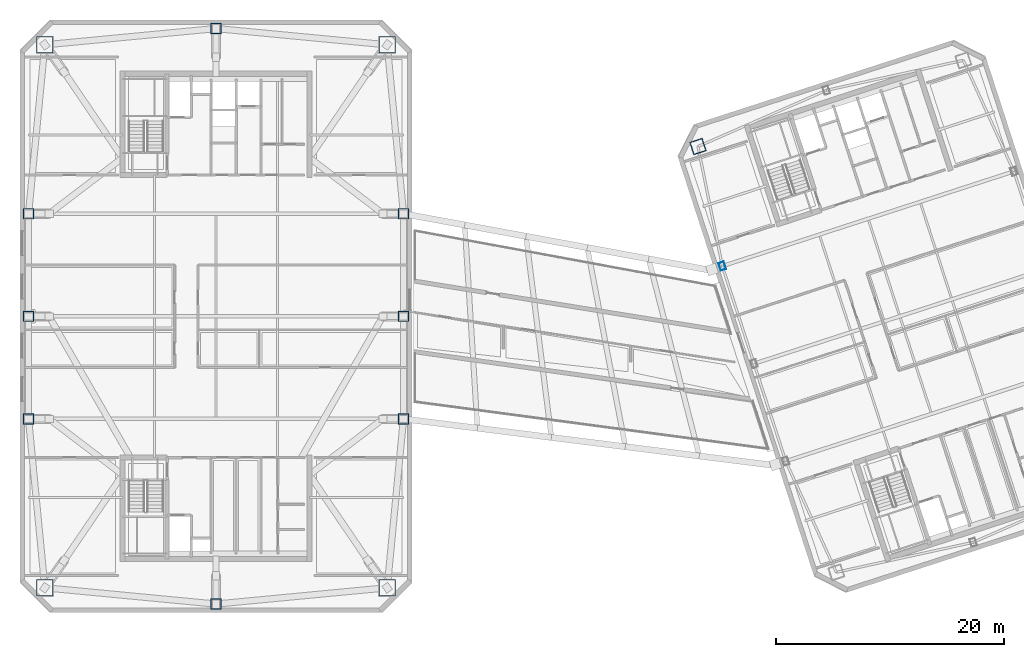
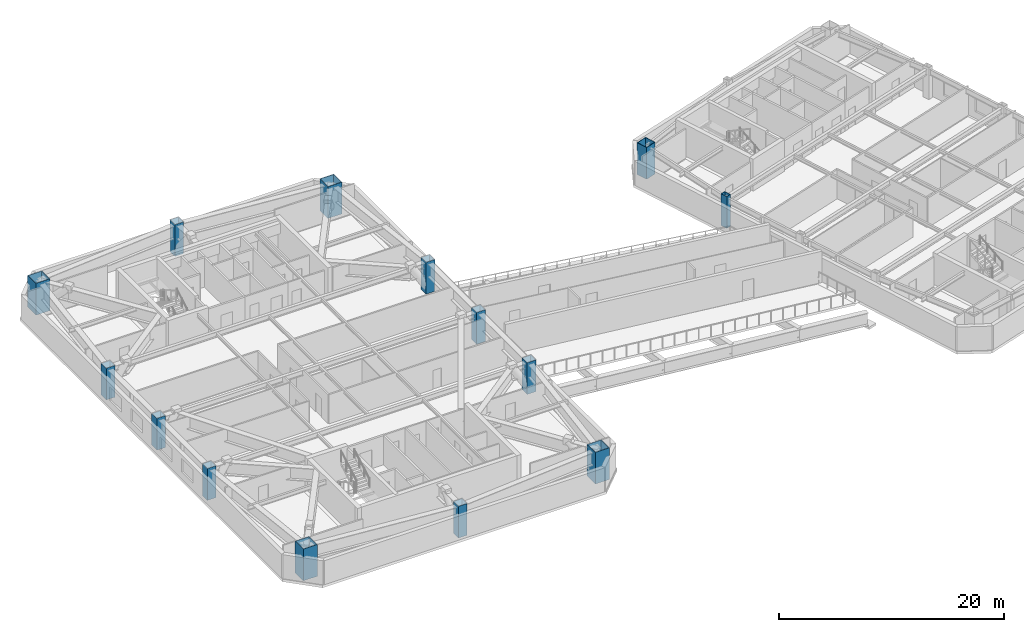
# One storey, part 1 of 18: 14 columns.
"""IFC4 building model written with IfcOpenShell, lengths in metres."""

from ifc_helpers import new_model, si_unit, direction, frame, origin, origin_2d, place, context, subcontext, project, spatial, hollow_rectangle, extrude, material, material_profile, profile_set, type_object, element, save


model = new_model("IFC4")

# Units and contexts
model_context = context("Model", 3, precision=1e-05, world=origin(), true_north=direction((0.0, 1.0)))
body_context = subcontext(model_context, "Body", "Model", "MODEL_VIEW")
ifc_project = project(units=[si_unit("LENGTHUNIT", "METRE"), si_unit("AREAUNIT", "SQUARE_METRE"), si_unit("VOLUMEUNIT", "CUBIC_METRE"), si_unit("PLANEANGLEUNIT", "RADIAN"), si_unit("MASSUNIT", "GRAM", prefix="KILO")], contexts=[model_context])

# Site, building, storey
site_placement = place(None, origin())
site = spatial("IfcSite", under=ifc_project, at=site_placement, CompositionType="ELEMENT")
building_placement = place(site_placement, origin())
building = spatial("IfcBuilding", under=site, at=building_placement, Name="Qiaolan Cultural Towers", CompositionType="ELEMENT")
storey_placement = place(building_placement, frame((0.0, 0.0, 219.64990234375)))
storey = spatial("IfcBuildingStorey", under=building, at=storey_placement, Name="L59", CompositionType="ELEMENT", Elevation=219.64990234375)

# Columns
ifc_material_1 = material(Name="Steel Q390GJB", Category="steel")
ifc_material_profile_1 = material_profile(ifc_material_1, hollow_rectangle(XDim=1.14990234375, YDim=1.14990234375, WallThickness=0.0400390625, at=origin_2d()), Name="BOX1150x1150x40")
ifc_profile_set_1 = profile_set([ifc_material_profile_1], Name="Steel Q390GJB")
column_type_1 = type_object("IfcColumnType", Name="COL-BOX1150x1150x40", PredefinedType="COLUMN", material=ifc_profile_set_1)
column_1_placement = place(storey_placement, frame((72.2900390625, 48.896484375, 0.0), z_axis=(0.0, 0.0, 1.0), x_axis=(0.951056516295, 0.309016994375, 0.0)))
element("IfcColumn", 1, at=column_1_placement, inside=storey, type_object=column_type_1, Name="L59 T2 Perimeter Column MC-NW", PredefinedType="COLUMN", context=body_context, shape_type="SweptSolid", body=[
    extrude(hollow_rectangle(XDim=1.14990234375, YDim=1.14990234375, WallThickness=0.0400390625, at=origin_2d()), origin(), (0.0, 0.0, 1.0), 3.451171875),
])
ifc_material_2 = material(Name="Steel Q420GJB", Category="steel")
ifc_material_profile_2 = material_profile(ifc_material_2, hollow_rectangle(XDim=1.449951171875, YDim=1.449951171875, WallThickness=0.050048828125, at=origin_2d()), Name="BOX1450x1450x50")
ifc_profile_set_2 = profile_set([ifc_material_profile_2], Name="Steel Q420GJB")
column_type_2 = type_object("IfcColumnType", Name="COL-BOX1450x1450x50", PredefinedType="COLUMN", material=ifc_profile_set_2)
for number, where, z_axis, x_axis, name in (
    (2, (14.97998046875, 10.179931640625, 0.0), (0.0, 0.0, 1.0), (1.0, 0.0, 0.0), "L59 T1 Perimeter Column MC-SW"),
    (3, (45.02001953125, 10.179931640625, 0.0), (0.0, 0.0, 1.0), (1.0, 0.0, 0.0), "L59 T1 Perimeter Column MC-SE"),
    (4, (45.02001953125, 57.820068359375, 0.0), (0.0, 0.0, 1.0), (1.0, 0.0, 0.0), "L59 T1 Perimeter Column MC-NE"),
    (5, (14.97998046875, 57.820068359375, 0.0), (0.0, 0.0, 1.0), (1.0, 0.0, 0.0), "L59 T1 Perimeter Column MC-NW"),
):
    element("IfcColumn", number, at=place(storey_placement, frame(where, z_axis=z_axis, x_axis=x_axis)), inside=storey, type_object=column_type_2, Name=name, PredefinedType="COLUMN", context=body_context, shape_type="SweptSolid", body=[
        extrude(hollow_rectangle(XDim=1.449951171875, YDim=1.449951171875, WallThickness=0.050048828125, at=origin_2d()), origin(), (0.0, 0.0, 1.0), 3.451171875),
    ])
ifc_material_3 = material(Name="Steel Q355B", Category="steel")
ifc_material_profile_3 = material_profile(ifc_material_3, hollow_rectangle(XDim=0.5, YDim=0.699951171875, WallThickness=0.02490234375, at=origin_2d()), Name="BOX700x500x25")
ifc_profile_set_3 = profile_set([ifc_material_profile_3], Name="Steel Q355B")
column_type_3 = type_object("IfcColumnType", Name="COL-BOX700x500x25", PredefinedType="COLUMN", material=ifc_profile_set_3)
column_2_placement = place(storey_placement, frame((74.42724609375, 38.4033203125, 0.0), z_axis=(0.0, 0.0, 1.0), x_axis=(0.951056516295, 0.309016994375, 0.0)))
element("IfcColumn", 6, at=column_2_placement, inside=storey, type_object=column_type_3, Name="L59 T2 Perimeter Column PC-W3", PredefinedType="COLUMN", context=body_context, shape_type="SweptSolid", body=[
    extrude(hollow_rectangle(XDim=0.5, YDim=0.699951171875, WallThickness=0.02490234375, at=origin_2d()), origin(), (0.0, 0.0, 1.0), 3.451171875),
])
ifc_material_4 = material(Name="Steel Q355B", Category="steel")
ifc_material_profile_4 = material_profile(ifc_material_4, hollow_rectangle(XDim=0.89990234375, YDim=0.89990234375, WallThickness=0.031982421875, at=origin_2d()), Name="BOX900x900x32")
ifc_profile_set_4 = profile_set([ifc_material_profile_4], Name="Steel Q355B")
column_type_4 = type_object("IfcColumnType", Name="COL-BOX900x900x32", PredefinedType="COLUMN", material=ifc_profile_set_4)
for number, where, z_axis, x_axis, name in (
    (7, (13.550048828125, 25.0, 0.0), (0.0, 0.0, 1.0), (1.0, 0.0, 0.0), "L59 T1 Perimeter Column PC-W1"),
    (8, (13.550048828125, 34.0, 0.0), (0.0, 0.0, 1.0), (1.0, 0.0, 0.0), "L59 T1 Perimeter Column PC-W2"),
    (9, (13.550048828125, 43.0, 0.0), (0.0, 0.0, 1.0), (1.0, 0.0, 0.0), "L59 T1 Perimeter Column PC-W3"),
    (10, (46.449951171875, 25.0, 0.0), (0.0, 0.0, 1.0), (1.0, 0.0, 0.0), "L59 T1 Perimeter Column PC-E1"),
    (11, (46.449951171875, 34.0, 0.0), (0.0, 0.0, 1.0), (1.0, 0.0, 0.0), "L59 T1 Perimeter Column PC-E2"),
    (12, (46.449951171875, 43.0, 0.0), (0.0, 0.0, 1.0), (1.0, 0.0, 0.0), "L59 T1 Perimeter Column PC-E3"),
    (13, (30.0, 8.75, 0.0), (0.0, 0.0, 1.0), (1.0, 0.0, 0.0), "L59 T1 Perimeter Column PC-S0"),
    (14, (30.0, 59.25, 0.0), (0.0, 0.0, 1.0), (1.0, 0.0, 0.0), "L59 T1 Perimeter Column PC-N0"),
):
    element("IfcColumn", number, at=place(storey_placement, frame(where, z_axis=z_axis, x_axis=x_axis)), inside=storey, type_object=column_type_4, Name=name, PredefinedType="COLUMN", context=body_context, shape_type="SweptSolid", body=[
        extrude(hollow_rectangle(XDim=0.89990234375, YDim=0.89990234375, WallThickness=0.031982421875, at=origin_2d()), origin(), (0.0, 0.0, 1.0), 3.451171875),
    ])

save(model, "model.ifc")
